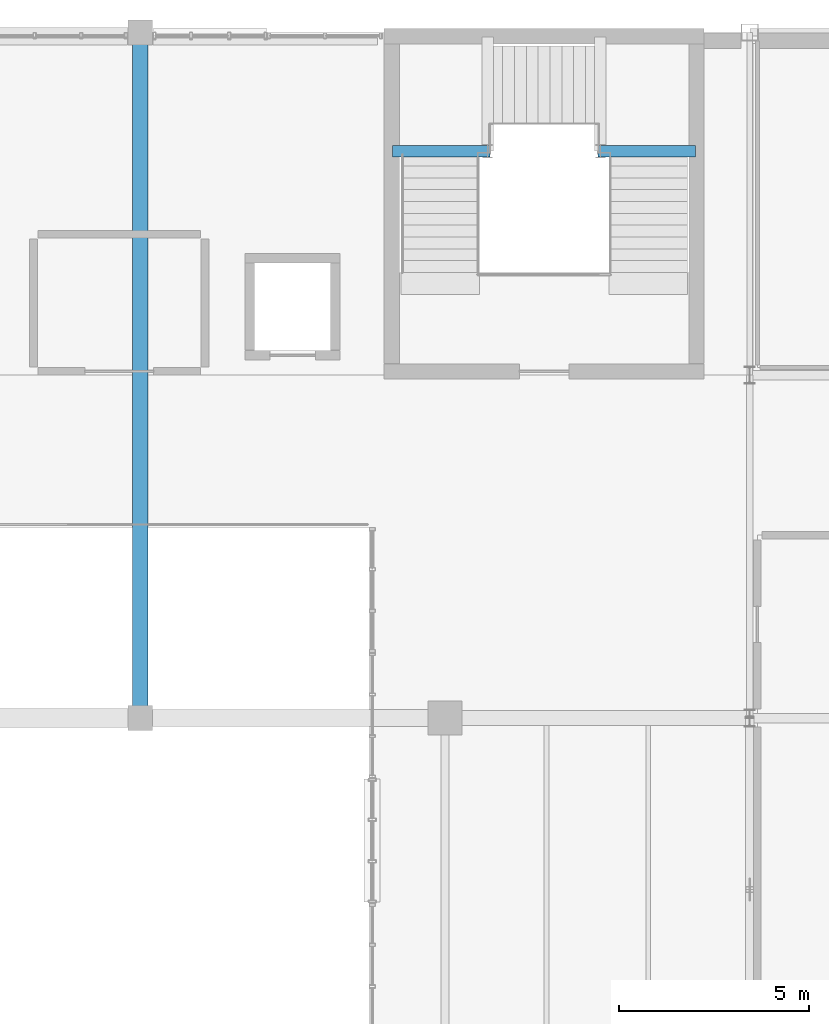
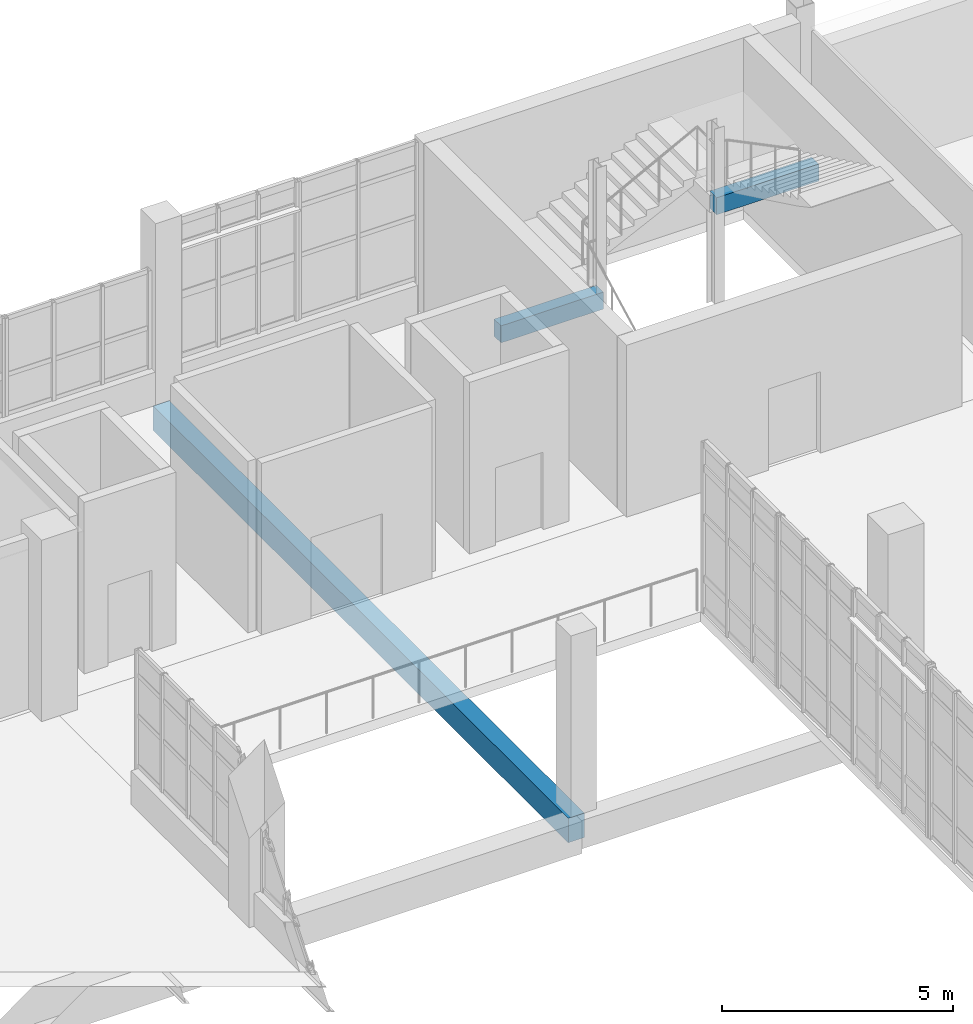
# One storey, part 49 of 102: 3 beams.
"""IFC4 building model written with IfcOpenShell, lengths in metres."""

from ifc_helpers import new_model, si_unit, derived_unit, direction, frame, origin, origin_2d, place, context, subcontext, project, spatial, rectangle, extrude, material, material_profile, profile_set, type_object, element, save


model = new_model("IFC4")

# Units and contexts
model_context = context("Model", 3, precision=1e-05, world=origin(), true_north=direction((0.0, 1.0)))
body_context = subcontext(model_context, "Body", "Model", "MODEL_VIEW")
ifc_project = project(units=[si_unit("LENGTHUNIT", "METRE"), si_unit("AREAUNIT", "SQUARE_METRE"), si_unit("VOLUMEUNIT", "CUBIC_METRE"), si_unit("PLANEANGLEUNIT", "RADIAN"), si_unit("MASSUNIT", "GRAM", prefix="KILO"), derived_unit("THERMALTRANSMITTANCEUNIT", [(si_unit("POWERUNIT", "WATT"), 1), (si_unit("LENGTHUNIT", "METRE"), -2), (si_unit("THERMODYNAMICTEMPERATUREUNIT", "KELVIN"), -1)])], contexts=[model_context])

# Site, building, storey
site_placement = place(None, origin())
site = spatial("IfcSite", under=ifc_project, at=site_placement, CompositionType="ELEMENT")
building_placement = place(site_placement, origin())
building = spatial("IfcBuilding", under=site, at=building_placement, Name="Nallur Shell Playhouse", CompositionType="ELEMENT")
storey_placement = place(building_placement, frame((0.0, 0.0, 15.0)))
storey = spatial("IfcBuildingStorey", under=building, at=storey_placement, Name="L04", CompositionType="ELEMENT", Elevation=15.0)

# Beams
ifc_material = material(Name="Concrete M35", Category="concrete")
ifc_material_profile_1 = material_profile(ifc_material, rectangle(XDim=0.39990234375, YDim=0.64990234375, at=origin_2d()), Name="RC 400x650")
ifc_profile_set_1 = profile_set([ifc_material_profile_1], Name="Concrete M35")
beam_type_1 = type_object("IfcBeamType", Name="BM-RC-400x650", PredefinedType="BEAM", material=ifc_profile_set_1)
beam_1_placement = place(storey_placement, frame((48.0, 65.0, -0.5849609375), z_axis=(0.0, 1.0, 0.0), x_axis=(-1.0, 0.0, 0.0)))
element("IfcBeam", 1, at=beam_1_placement, inside=storey, type_object=beam_type_1, Name="L04 girder Y-6-831", PredefinedType="BEAM", context=body_context, shape_type="SweptSolid", body=[
    extrude(rectangle(XDim=0.39990234375, YDim=0.64990234375, at=origin_2d()), origin(), (0.0, 0.0, 1.0), 18.0),
])
ifc_material_profile_2 = material_profile(ifc_material, rectangle(XDim=0.300048828125, YDim=0.449951171875, at=origin_2d()), Name="RC 300x450")
ifc_profile_set_2 = profile_set([ifc_material_profile_2], Name="Concrete M35")
beam_type_2 = type_object("IfcBeamType", Name="BM-SPN-300x450", PredefinedType="SPANDREL", material=ifc_profile_set_2)
beam_2_placement = place(storey_placement, frame((54.6201171875, 79.8798828125, 1.22509765625), z_axis=(1.0, 0.0, 0.0), x_axis=(0.0, 1.0, 0.0)))
element("IfcBeam", 2, at=beam_2_placement, inside=storey, type_object=beam_type_2, Name="Stair ST-03-L04 L1 south bearer beam", PredefinedType="SPANDREL", context=body_context, shape_type="SweptSolid", body=[
    extrude(rectangle(XDim=0.300048828125, YDim=0.449951171875, at=origin_2d()), origin(), (0.0, 0.0, 1.0), 2.559814453125),
])
beam_3_placement = place(storey_placement, frame((60.02001953125, 79.8798828125, 2.72509765625), z_axis=(1.0, 0.0, 0.0), x_axis=(0.0, 1.0, 0.0)))
element("IfcBeam", 3, at=beam_3_placement, inside=storey, type_object=beam_type_2, Name="Stair ST-03-L04 L2 south bearer beam", PredefinedType="SPANDREL", context=body_context, shape_type="SweptSolid", body=[
    extrude(rectangle(XDim=0.300048828125, YDim=0.449951171875, at=origin_2d()), origin(), (0.0, 0.0, 1.0), 2.56005859375),
])

save(model, "model.ifc")
